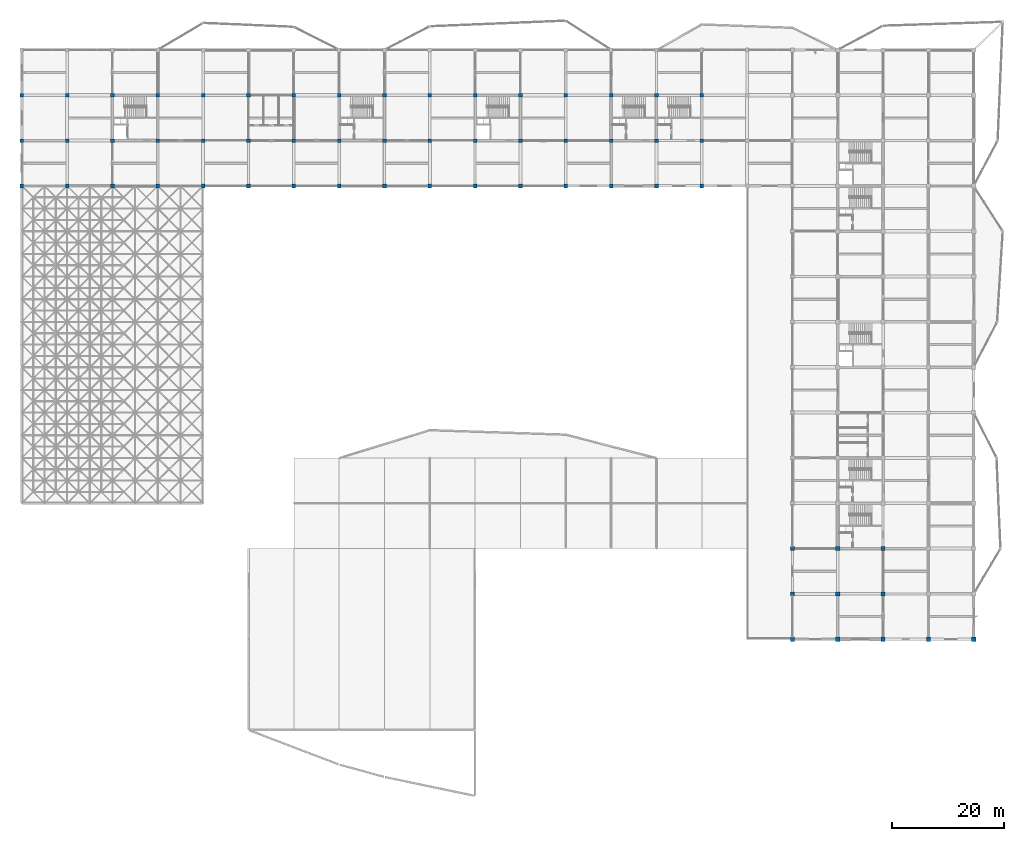
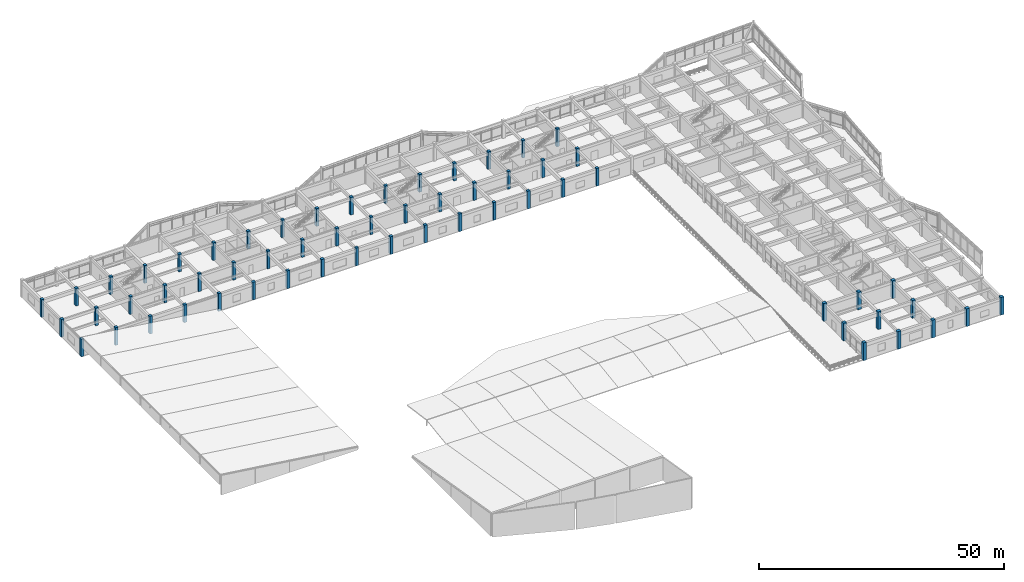
# One storey, part 3 of 70: 59 columns.
"""IFC4 building model written with IfcOpenShell, lengths in metres."""

from ifc_helpers import new_model, si_unit, direction, frame, origin, origin_2d, place, context, subcontext, project, spatial, rectangle, extrude, material, material_profile, profile_set, type_object, element, save


model = new_model("IFC4")

# Units and contexts
model_context = context("Model", 3, precision=1e-05, world=origin(), true_north=direction((0.0, 1.0)))
body_context = subcontext(model_context, "Body", "Model", "MODEL_VIEW")
ifc_project = project(units=[si_unit("LENGTHUNIT", "METRE"), si_unit("AREAUNIT", "SQUARE_METRE"), si_unit("VOLUMEUNIT", "CUBIC_METRE"), si_unit("PLANEANGLEUNIT", "RADIAN"), si_unit("MASSUNIT", "GRAM", prefix="KILO")], contexts=[model_context])

# Site, building, storey
site_placement = place(None, origin())
site = spatial("IfcSite", under=ifc_project, at=site_placement, CompositionType="ELEMENT")
building_placement = place(site_placement, origin())
building = spatial("IfcBuilding", under=site, at=building_placement, Name="Vaudrelin Polytechnic", CompositionType="ELEMENT")
storey_placement = place(building_placement, frame((0.0, 0.0, 14.110107421875)))
storey = spatial("IfcBuildingStorey", under=building, at=storey_placement, Name="L03", CompositionType="ELEMENT", Elevation=14.110107421875)

# Columns
ifc_material_1 = material(Name="Concrete 40 MPa", Category="concrete")
ifc_material_profile_1 = material_profile(ifc_material_1, rectangle(XDim=0.64990234375, YDim=0.64990234375, at=origin_2d()), Name="RC650x650")
ifc_profile_set_1 = profile_set([ifc_material_profile_1], Name="Concrete 40 MPa")
column_type_1 = type_object("IfcColumnType", Name="COL-C-RC650", PredefinedType="COLUMN", material=ifc_profile_set_1)
for number, where, z_axis, x_axis, name in (
    (1, (0.0, 97.199951171875, 0.0), (0.0, 0.0, 1.0), (1.0, 0.0, 0.0), "Column L03 1-13"),
    (2, (0.0, 105.300048828125, 0.0), (0.0, 0.0, 1.0), (1.0, 0.0, 0.0), "Column L03 1-14"),
    (3, (0.0, 113.39990234375, 0.0), (0.0, 0.0, 1.0), (1.0, 0.0, 0.0), "Column L03 1-15"),
    (4, (8.10009765625, 97.199951171875, 0.0), (0.0, 0.0, 1.0), (1.0, 0.0, 0.0), "Column L03 2-13"),
    (5, (8.10009765625, 105.300048828125, 0.0), (0.0, 0.0, 1.0), (1.0, 0.0, 0.0), "Column L03 2-14"),
    (6, (8.10009765625, 113.39990234375, 0.0), (0.0, 0.0, 1.0), (1.0, 0.0, 0.0), "Column L03 2-15"),
    (7, (16.199951171875, 97.199951171875, 0.0), (0.0, 0.0, 1.0), (1.0, 0.0, 0.0), "Column L03 3-13"),
    (8, (16.199951171875, 105.300048828125, 0.0), (0.0, 0.0, 1.0), (1.0, 0.0, 0.0), "Column L03 3-14"),
    (9, (16.199951171875, 113.39990234375, 0.0), (0.0, 0.0, 1.0), (1.0, 0.0, 0.0), "Column L03 3-15"),
    (10, (24.300048828125, 97.199951171875, 0.0), (0.0, 0.0, 1.0), (1.0, 0.0, 0.0), "Column L03 4-13"),
    (11, (24.300048828125, 105.300048828125, 0.0), (0.0, 0.0, 1.0), (1.0, 0.0, 0.0), "Column L03 4-14"),
    (12, (24.300048828125, 113.39990234375, 0.0), (0.0, 0.0, 1.0), (1.0, 0.0, 0.0), "Column L03 4-15"),
    (13, (32.39990234375, 97.199951171875, 0.0), (0.0, 0.0, 1.0), (1.0, 0.0, 0.0), "Column L03 5-13"),
    (14, (32.39990234375, 105.300048828125, 0.0), (0.0, 0.0, 1.0), (1.0, 0.0, 0.0), "Column L03 5-14"),
    (15, (32.39990234375, 113.39990234375, 0.0), (0.0, 0.0, 1.0), (1.0, 0.0, 0.0), "Column L03 5-15"),
    (16, (40.5, 97.199951171875, 0.0), (0.0, 0.0, 1.0), (1.0, 0.0, 0.0), "Column L03 6-13"),
    (17, (40.5, 105.300048828125, 0.0), (0.0, 0.0, 1.0), (1.0, 0.0, 0.0), "Column L03 6-14"),
    (18, (40.5, 113.39990234375, 0.0), (0.0, 0.0, 1.0), (1.0, 0.0, 0.0), "Column L03 6-15"),
    (19, (48.60009765625, 97.199951171875, 0.0), (0.0, 0.0, 1.0), (1.0, 0.0, 0.0), "Column L03 7-13"),
    (20, (48.60009765625, 105.300048828125, 0.0), (0.0, 0.0, 1.0), (1.0, 0.0, 0.0), "Column L03 7-14"),
    (21, (48.60009765625, 113.39990234375, 0.0), (0.0, 0.0, 1.0), (1.0, 0.0, 0.0), "Column L03 7-15"),
    (22, (56.699951171875, 97.199951171875, 0.0), (0.0, 0.0, 1.0), (1.0, 0.0, 0.0), "Column L03 8-13"),
    (23, (56.699951171875, 105.300048828125, 0.0), (0.0, 0.0, 1.0), (1.0, 0.0, 0.0), "Column L03 8-14"),
    (24, (56.699951171875, 113.39990234375, 0.0), (0.0, 0.0, 1.0), (1.0, 0.0, 0.0), "Column L03 8-15"),
    (25, (64.800048828125, 97.199951171875, 0.0), (0.0, 0.0, 1.0), (1.0, 0.0, 0.0), "Column L03 9-13"),
    (26, (64.800048828125, 105.300048828125, 0.0), (0.0, 0.0, 1.0), (1.0, 0.0, 0.0), "Column L03 9-14"),
    (27, (64.800048828125, 113.39990234375, 0.0), (0.0, 0.0, 1.0), (1.0, 0.0, 0.0), "Column L03 9-15"),
    (28, (72.89990234375, 97.199951171875, 0.0), (0.0, 0.0, 1.0), (1.0, 0.0, 0.0), "Column L03 10-13"),
    (29, (72.89990234375, 105.300048828125, 0.0), (0.0, 0.0, 1.0), (1.0, 0.0, 0.0), "Column L03 10-14"),
    (30, (72.89990234375, 113.39990234375, 0.0), (0.0, 0.0, 1.0), (1.0, 0.0, 0.0), "Column L03 10-15"),
    (31, (81.0, 97.199951171875, 0.0), (0.0, 0.0, 1.0), (1.0, 0.0, 0.0), "Column L03 11-13"),
    (32, (81.0, 105.300048828125, 0.0), (0.0, 0.0, 1.0), (1.0, 0.0, 0.0), "Column L03 11-14"),
    (33, (81.0, 113.39990234375, 0.0), (0.0, 0.0, 1.0), (1.0, 0.0, 0.0), "Column L03 11-15"),
    (34, (89.10009765625, 97.199951171875, 0.0), (0.0, 0.0, 1.0), (1.0, 0.0, 0.0), "Column L03 12-13"),
    (35, (89.10009765625, 105.300048828125, 0.0), (0.0, 0.0, 1.0), (1.0, 0.0, 0.0), "Column L03 12-14"),
    (36, (89.10009765625, 113.39990234375, 0.0), (0.0, 0.0, 1.0), (1.0, 0.0, 0.0), "Column L03 12-15"),
    (37, (97.199951171875, 97.199951171875, 0.0), (0.0, 0.0, 1.0), (1.0, 0.0, 0.0), "Column L03 13-13"),
    (38, (97.199951171875, 105.300048828125, 0.0), (0.0, 0.0, 1.0), (1.0, 0.0, 0.0), "Column L03 13-14"),
    (39, (97.199951171875, 113.39990234375, 0.0), (0.0, 0.0, 1.0), (1.0, 0.0, 0.0), "Column L03 13-15"),
    (40, (105.300048828125, 97.199951171875, 0.0), (0.0, 0.0, 1.0), (1.0, 0.0, 0.0), "Column L03 14-13"),
    (41, (105.300048828125, 105.300048828125, 0.0), (0.0, 0.0, 1.0), (1.0, 0.0, 0.0), "Column L03 14-14"),
    (42, (105.300048828125, 113.39990234375, 0.0), (0.0, 0.0, 1.0), (1.0, 0.0, 0.0), "Column L03 14-15"),
    (43, (113.39990234375, 97.199951171875, 0.0), (0.0, 0.0, 1.0), (1.0, 0.0, 0.0), "Column L03 15-13"),
    (44, (113.39990234375, 105.300048828125, 0.0), (0.0, 0.0, 1.0), (1.0, 0.0, 0.0), "Column L03 15-14"),
    (45, (113.39990234375, 113.39990234375, 0.0), (0.0, 0.0, 1.0), (1.0, 0.0, 0.0), "Column L03 15-15"),
    (46, (121.5, 97.199951171875, 0.0), (0.0, 0.0, 1.0), (1.0, 0.0, 0.0), "Column L03 16-13"),
    (47, (121.5, 105.300048828125, 0.0), (0.0, 0.0, 1.0), (1.0, 0.0, 0.0), "Column L03 16-14"),
    (48, (121.5, 113.39990234375, 0.0), (0.0, 0.0, 1.0), (1.0, 0.0, 0.0), "Column L03 16-15"),
):
    element("IfcColumn", number, at=place(storey_placement, frame(where, z_axis=z_axis, x_axis=x_axis)), inside=storey, type_object=column_type_1, Name=name, PredefinedType="COLUMN", context=body_context, shape_type="SweptSolid", body=[
        extrude(rectangle(XDim=0.64990234375, YDim=0.64990234375, at=origin_2d()), origin(), (0.0, 0.0, 1.0), 4.419921875),
    ])
ifc_material_2 = material(Name="Concrete 50 MPa", Category="concrete")
ifc_material_profile_2 = material_profile(ifc_material_2, rectangle(XDim=0.75, YDim=0.75, at=origin_2d()), Name="RC750x750")
ifc_profile_set_2 = profile_set([ifc_material_profile_2], Name="Concrete 50 MPa")
column_type_2 = type_object("IfcColumnType", Name="COL-C-RC750", PredefinedType="COLUMN", material=ifc_profile_set_2)
for number, where, z_axis, x_axis, name in (
    (49, (137.699951171875, 16.199951171875, 0.0), (0.0, 0.0, 1.0), (1.0, 0.0, 0.0), "Column L03 18-3"),
    (50, (137.699951171875, 24.300048828125, 0.0), (0.0, 0.0, 1.0), (1.0, 0.0, 0.0), "Column L03 18-4"),
    (51, (137.699951171875, 32.39990234375, 0.0), (0.0, 0.0, 1.0), (1.0, 0.0, 0.0), "Column L03 18-5"),
    (52, (145.800048828125, 16.199951171875, 0.0), (0.0, 0.0, 1.0), (1.0, 0.0, 0.0), "Column L03 19-3"),
    (53, (145.800048828125, 24.300048828125, 0.0), (0.0, 0.0, 1.0), (1.0, 0.0, 0.0), "Column L03 19-4"),
    (54, (145.800048828125, 32.39990234375, 0.0), (0.0, 0.0, 1.0), (1.0, 0.0, 0.0), "Column L03 19-5"),
    (55, (153.89990234375, 16.199951171875, 0.0), (0.0, 0.0, 1.0), (1.0, 0.0, 0.0), "Column L03 20-3"),
    (56, (153.89990234375, 24.300048828125, 0.0), (0.0, 0.0, 1.0), (1.0, 0.0, 0.0), "Column L03 20-4"),
    (57, (153.89990234375, 32.39990234375, 0.0), (0.0, 0.0, 1.0), (1.0, 0.0, 0.0), "Column L03 20-5"),
    (58, (162.0, 16.199951171875, 0.0), (0.0, 0.0, 1.0), (1.0, 0.0, 0.0), "Column L03 21-3"),
    (59, (170.10009765625, 16.199951171875, 0.0), (0.0, 0.0, 1.0), (1.0, 0.0, 0.0), "Column L03 22-3"),
):
    element("IfcColumn", number, at=place(storey_placement, frame(where, z_axis=z_axis, x_axis=x_axis)), inside=storey, type_object=column_type_2, Name=name, PredefinedType="COLUMN", context=body_context, shape_type="SweptSolid", body=[
        extrude(rectangle(XDim=0.75, YDim=0.75, at=origin_2d()), origin(), (0.0, 0.0, 1.0), 4.419921875),
    ])

save(model, "model.ifc")
